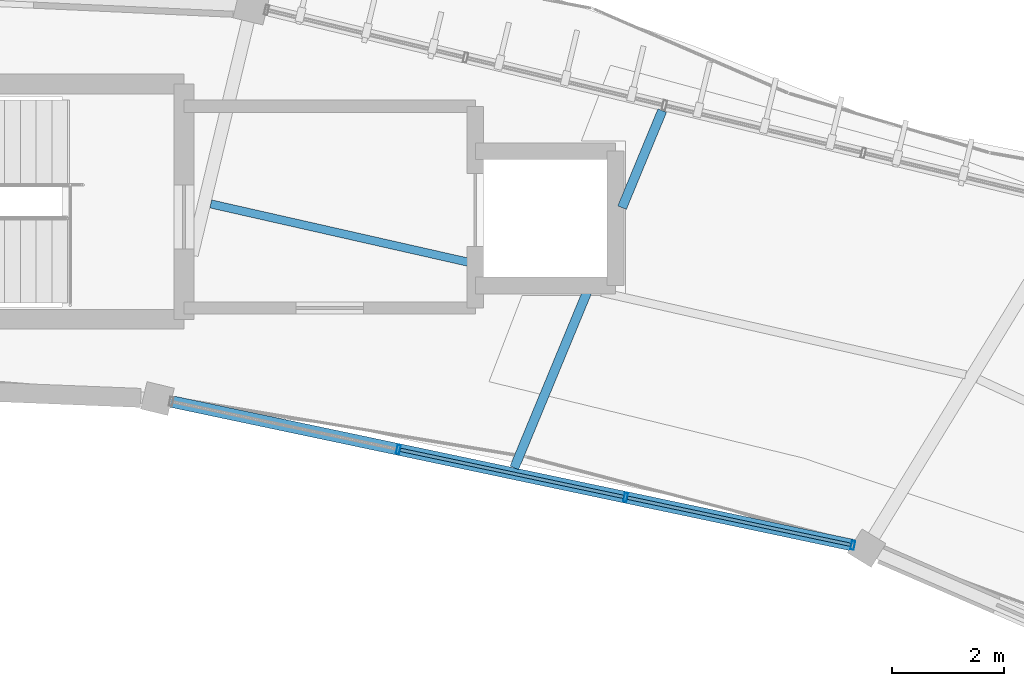
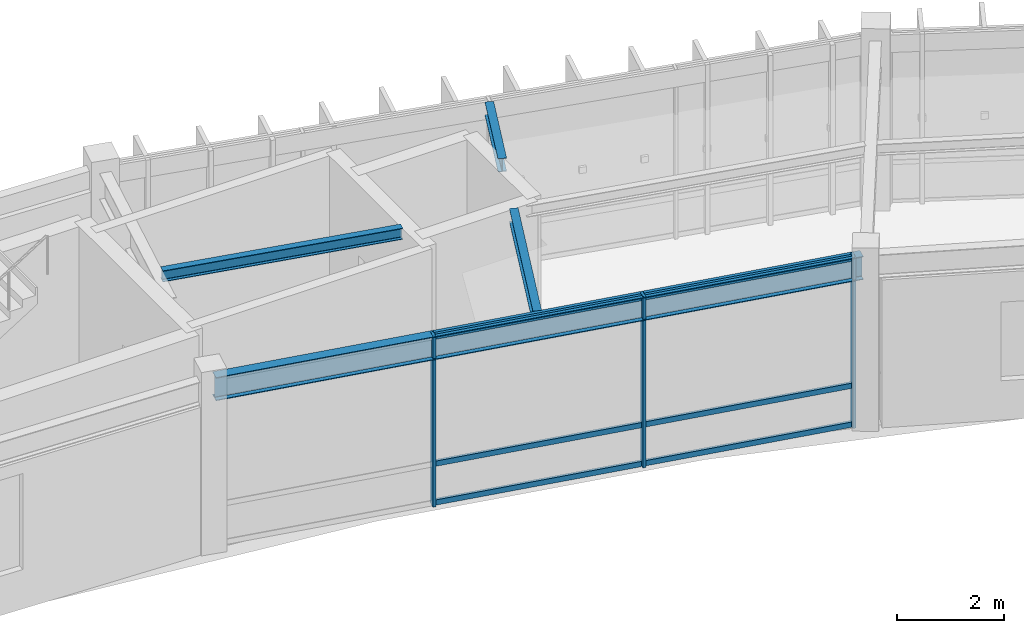
# One storey, part 56 of 79: 9 members, 4 beams, 1 element without a shape of its own.
"""IFC4 building model written with IfcOpenShell, lengths in metres."""

from ifc_helpers import new_model, si_unit, direction, frame, origin, origin_2d, place, context, subcontext, project, spatial, hollow_rectangle, i_section, extrude, material, material_profile, profile_set, type_object, element, aggregate, save


model = new_model("IFC4")

# Units and contexts
model_context = context("Model", 3, precision=1e-05, world=origin(), true_north=direction((0.0, 1.0)))
body_context = subcontext(model_context, "Body", "Model", "MODEL_VIEW")
ifc_project = project(units=[si_unit("LENGTHUNIT", "METRE"), si_unit("AREAUNIT", "SQUARE_METRE"), si_unit("VOLUMEUNIT", "CUBIC_METRE"), si_unit("PLANEANGLEUNIT", "RADIAN"), si_unit("MASSUNIT", "GRAM", prefix="KILO"), si_unit("THERMODYNAMICTEMPERATUREUNIT", "KELVIN"), si_unit("POWERUNIT", "WATT")], contexts=[model_context])

# Site, building, storey
site_placement = place(None, origin())
site = spatial("IfcSite", under=ifc_project, at=site_placement, CompositionType="ELEMENT")
building_placement = place(site_placement, origin())
building = spatial("IfcBuilding", under=site, at=building_placement, Name="Darbajah Civic Hall", CompositionType="ELEMENT")
storey_placement = place(building_placement, frame((0.0, 0.0, 22.199951171875)))
storey = spatial("IfcBuildingStorey", under=building, at=storey_placement, Name="L05", CompositionType="ELEMENT", Elevation=22.199951171875)

# Curtain wall, members
ifc_material_1 = material(Name="Anodised Bronze Aluminium and Low-E Glazing", Category="aluminium")
curtain_wall_type = type_object("IfcCurtainWallType", Name="Unitised Curtain Wall CW-65 12400x3900", PredefinedType="USERDEFINED", material=ifc_material_1)
curtain_wall_placement = place(storey_placement, origin())
curtain_wall = element("IfcCurtainWall", 1, at=curtain_wall_placement, inside=storey, type_object=curtain_wall_type, Name="L05 unitised curtain wall CW-V1I-L05-03", ObjectType="UNITISED CURTAIN WALL", PredefinedType="USERDEFINED")
ifc_material_2 = material(Name="Anodised Bronze Aluminium", Category="aluminium")
ifc_material_profile_1 = material_profile(ifc_material_2, hollow_rectangle(XDim=0.06005859375, YDim=0.159912109375, WallThickness=0.00341796875, at=origin_2d()), Name="ALU MULLION 60x160")
ifc_profile_set_1 = profile_set([ifc_material_profile_1], Name="Anodised Bronze Aluminium")
member_type_1 = type_object("IfcMemberType", Name="ALU MULLION 60x160", PredefinedType="MULLION", material=ifc_profile_set_1)
member_1_placement = place(storey_placement, frame((111.73876953125, 108.865966796875, 0.0), z_axis=(0.0, 0.0, 1.0), x_axis=(-0.978472980779, 0.206374964291, 0.0)))
member_1 = element("IfcMember", 2, at=member_1_placement, type_object=member_type_1, Name="CW-V1I-L05-03 mullion 1", PredefinedType="MULLION", context=body_context, shape_type="SweptSolid", body=[
    extrude(hollow_rectangle(XDim=0.06005859375, YDim=0.159912109375, WallThickness=0.00341796875, at=origin_2d()), origin(), (0.0, 0.0, 1.0), 3.920166015625),
])
member_2_placement = place(storey_placement, frame((107.68310546875, 109.72119140625, 0.0), z_axis=(0.0, 0.0, 1.0), x_axis=(-0.978472980779, 0.206374964291, 0.0)))
member_2 = element("IfcMember", 3, at=member_2_placement, type_object=member_type_1, Name="CW-V1I-L05-03 mullion 2", PredefinedType="MULLION", context=body_context, shape_type="SweptSolid", body=[
    extrude(hollow_rectangle(XDim=0.06005859375, YDim=0.159912109375, WallThickness=0.00341796875, at=origin_2d()), origin(), (0.0, 0.0, 1.0), 3.920166015625),
])
member_3_placement = place(storey_placement, frame((103.627197265625, 110.576416015625, 0.0), z_axis=(0.0, 0.0, 1.0), x_axis=(-0.978472980779, 0.206374964291, 0.0)))
member_3 = element("IfcMember", 4, at=member_3_placement, type_object=member_type_1, Name="CW-V1I-L05-03 mullion 3", PredefinedType="MULLION", context=body_context, shape_type="SweptSolid", body=[
    extrude(hollow_rectangle(XDim=0.06005859375, YDim=0.159912109375, WallThickness=0.00341796875, at=origin_2d()), origin(), (0.0, 0.0, 1.0), 3.920166015625),
])
ifc_material_profile_2 = material_profile(ifc_material_2, hollow_rectangle(XDim=0.06005859375, YDim=0.1201171875, WallThickness=0.003173828125, at=origin_2d()), Name="ALU TRANSOM 60x120")
ifc_profile_set_2 = profile_set([ifc_material_profile_2], Name="Anodised Bronze Aluminium")
member_type_2 = type_object("IfcMemberType", Name="ALU TRANSOM 60x120", PredefinedType="USERDEFINED", material=ifc_profile_set_2)
member_4_placement = place(storey_placement, frame((111.70458984375, 108.873046875, 0.06005859375), z_axis=(-0.978468980764, 0.206393928406, 0.0), x_axis=(-0.206393928406, -0.978468980764, 0.0)))
member_4 = element("IfcMember", 5, at=member_4_placement, type_object=member_type_2, Name="CW-V1I-L05-03 transom 1.1", ObjectType="TRANSOM", PredefinedType="USERDEFINED", context=body_context, shape_type="SweptSolid", body=[
    extrude(hollow_rectangle(XDim=0.06005859375, YDim=0.1201171875, WallThickness=0.003173828125, at=origin_2d()), origin(), (0.0, 0.0, 1.0), 4.074951171875),
])
member_5_placement = place(storey_placement, frame((111.70458984375, 108.873046875, 0.949951171875), z_axis=(-0.978468980764, 0.206393928406, 0.0), x_axis=(-0.206393928406, -0.978468980764, 0.0)))
member_5 = element("IfcMember", 6, at=member_5_placement, type_object=member_type_2, Name="CW-V1I-L05-03 transom 1.2", ObjectType="TRANSOM", PredefinedType="USERDEFINED", context=body_context, shape_type="SweptSolid", body=[
    extrude(hollow_rectangle(XDim=0.06005859375, YDim=0.1201171875, WallThickness=0.003173828125, at=origin_2d()), origin(), (0.0, 0.0, 1.0), 4.074951171875),
])
member_6_placement = place(storey_placement, frame((111.70458984375, 108.873046875, 3.860107421875), z_axis=(-0.978468980764, 0.206393928406, 0.0), x_axis=(-0.206393928406, -0.978468980764, 0.0)))
member_6 = element("IfcMember", 7, at=member_6_placement, type_object=member_type_2, Name="CW-V1I-L05-03 transom 1.3", ObjectType="TRANSOM", PredefinedType="USERDEFINED", context=body_context, shape_type="SweptSolid", body=[
    extrude(hollow_rectangle(XDim=0.06005859375, YDim=0.1201171875, WallThickness=0.003173828125, at=origin_2d()), origin(), (0.0, 0.0, 1.0), 4.074951171875),
])
member_7_placement = place(storey_placement, frame((107.648681640625, 109.728515625, 0.06005859375), z_axis=(-0.978478527333, 0.206348665001, 0.0), x_axis=(-0.206348665001, -0.978478527333, 0.0)))
member_7 = element("IfcMember", 8, at=member_7_placement, type_object=member_type_2, Name="CW-V1I-L05-03 transom 2.1", ObjectType="TRANSOM", PredefinedType="USERDEFINED", context=body_context, shape_type="SweptSolid", body=[
    extrude(hollow_rectangle(XDim=0.06005859375, YDim=0.1201171875, WallThickness=0.003173828125, at=origin_2d()), origin(), (0.0, 0.0, 1.0), 4.07470703125),
])
member_8_placement = place(storey_placement, frame((107.648681640625, 109.728515625, 0.949951171875), z_axis=(-0.978478527333, 0.206348665001, 0.0), x_axis=(-0.206348665001, -0.978478527333, 0.0)))
member_8 = element("IfcMember", 9, at=member_8_placement, type_object=member_type_2, Name="CW-V1I-L05-03 transom 2.2", ObjectType="TRANSOM", PredefinedType="USERDEFINED", context=body_context, shape_type="SweptSolid", body=[
    extrude(hollow_rectangle(XDim=0.06005859375, YDim=0.1201171875, WallThickness=0.003173828125, at=origin_2d()), origin(), (0.0, 0.0, 1.0), 4.07470703125),
])
member_9_placement = place(storey_placement, frame((107.648681640625, 109.728515625, 3.860107421875), z_axis=(-0.978478527333, 0.206348665001, 0.0), x_axis=(-0.206348665001, -0.978478527333, 0.0)))
member_9 = element("IfcMember", 10, at=member_9_placement, type_object=member_type_2, Name="CW-V1I-L05-03 transom 2.3", ObjectType="TRANSOM", PredefinedType="USERDEFINED", context=body_context, shape_type="SweptSolid", body=[
    extrude(hollow_rectangle(XDim=0.06005859375, YDim=0.1201171875, WallThickness=0.003173828125, at=origin_2d()), origin(), (0.0, 0.0, 1.0), 4.07470703125),
])
aggregate(curtain_wall, [member_1, member_2, member_3, member_4, member_5, member_6, member_7, member_8, member_9])

# Beams
ifc_material_3 = material(Name="Steel S355JR", Category="steel")
ifc_material_profile_3 = material_profile(ifc_material_3, i_section(OverallWidth=0.146484375, OverallDepth=0.256103515625, WebThickness=0.00634765625, FlangeThickness=0.010986328125, FilletRadius=0.007568359375, at=origin_2d()), Name="UB 254x146x37")
ifc_profile_set_3 = profile_set([ifc_material_profile_3], Name="Steel S355JR")
beam_type_1 = type_object("IfcBeamType", Name="UB 254x146x37", PredefinedType="JOIST", material=ifc_profile_set_3)
beam_1_placement = place(storey_placement, frame((104.8798828125, 113.917236328125, 3.7919921875), z_axis=(-0.97532969835, 0.220753209527, 0.0), x_axis=(-0.220753209527, -0.97532969835, 0.0)))
element("IfcBeam", 11, at=beam_1_placement, inside=storey, type_object=beam_type_1, Name="L05 beam SJ-254", PredefinedType="JOIST", context=body_context, shape_type="SweptSolid", body=[
    extrude(i_section(OverallWidth=0.146484375, OverallDepth=0.256103515625, WebThickness=0.00634765625, FlangeThickness=0.010986328125, FilletRadius=0.007568359375, at=origin_2d()), origin(), (0.0, 0.0, 1.0), 4.718017578125),
])
ifc_material_profile_4 = material_profile(ifc_material_3, i_section(OverallWidth=0.165771484375, OverallDepth=0.306640625, WebThickness=0.006591796875, FlangeThickness=0.01171875, FilletRadius=0.0087890625, at=origin_2d()), Name="UB 305x165x46")
ifc_profile_set_4 = profile_set([ifc_material_profile_4], Name="Steel S355JR")
beam_type_2 = type_object("IfcBeamType", Name="UB 305x165x46", PredefinedType="JOIST", material=ifc_profile_set_4)
beam_2_placement = place(storey_placement, frame((105.69580078125, 110.246826171875, 3.766845703125), z_axis=(0.382646399195, 0.923894871283, 0.0), x_axis=(-0.923894871283, 0.382646399195, 0.0)))
element("IfcBeam", 12, at=beam_2_placement, inside=storey, type_object=beam_type_2, Name="L05 beam SJ-305", PredefinedType="JOIST", context=body_context, shape_type="SweptSolid", body=[
    extrude(i_section(OverallWidth=0.165771484375, OverallDepth=0.306640625, WebThickness=0.006591796875, FlangeThickness=0.01171875, FilletRadius=0.0087890625, at=origin_2d()), origin(), (0.0, 0.0, 1.0), 3.39111328125),
])
beam_3_placement = place(storey_placement, frame((107.6201171875, 114.892578125, 3.766845703125), z_axis=(0.382589483091, 0.923918441978, 0.0), x_axis=(-0.923918441978, 0.382589483091, 0.0)))
element("IfcBeam", 13, at=beam_3_placement, inside=storey, type_object=beam_type_2, Name="L05 beam SJ-305", PredefinedType="JOIST", context=body_context, shape_type="SweptSolid", body=[
    extrude(i_section(OverallWidth=0.165771484375, OverallDepth=0.306640625, WebThickness=0.006591796875, FlangeThickness=0.01171875, FilletRadius=0.0087890625, at=origin_2d()), origin(), (0.0, 0.0, 1.0), 1.874755859375),
])
ifc_material_profile_5 = material_profile(ifc_material_3, i_section(OverallWidth=0.209228515625, OverallDepth=0.533203125, WebThickness=0.010009765625, FlangeThickness=0.015625, FilletRadius=0.0126953125, at=origin_2d()), Name="UB 533x210x92")
ifc_profile_set_5 = profile_set([ifc_material_profile_5], Name="Steel S355JR")
beam_type_3 = type_object("IfcBeamType", Name="UB 533x210x92", PredefinedType="BEAM", material=ifc_profile_set_5)
beam_4_placement = place(storey_placement, frame((111.906982421875, 108.830322265625, 3.653564453125), z_axis=(-0.978476951565, 0.206356136949, 0.0), x_axis=(-0.206356136949, -0.978476951565, 0.0)))
element("IfcBeam", 14, at=beam_4_placement, inside=storey, type_object=beam_type_3, Name="L05 beam SB-533", PredefinedType="BEAM", context=body_context, shape_type="SweptSolid", body=[
    extrude(i_section(OverallWidth=0.209228515625, OverallDepth=0.533203125, WebThickness=0.010009765625, FlangeThickness=0.015625, FilletRadius=0.0126953125, at=origin_2d()), origin(), (0.0, 0.0, 1.0), 12.77880859375),
])

save(model, "model.ifc")
